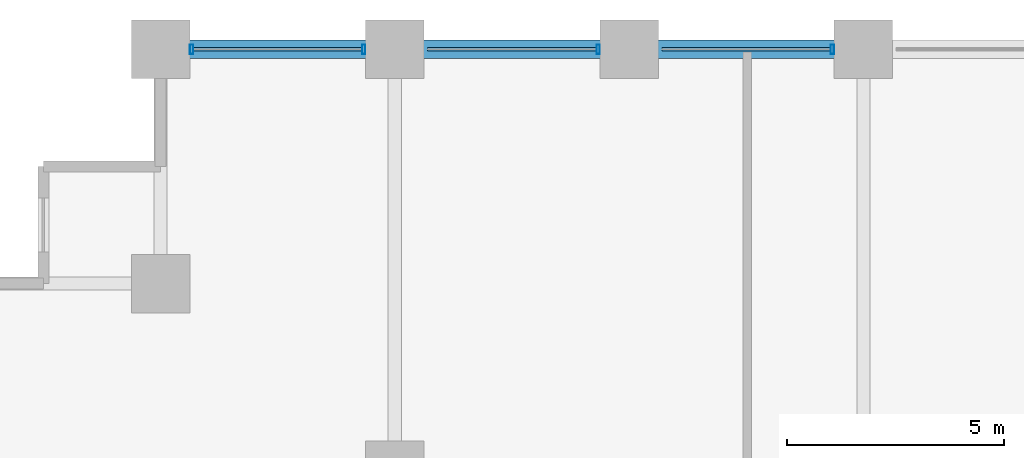
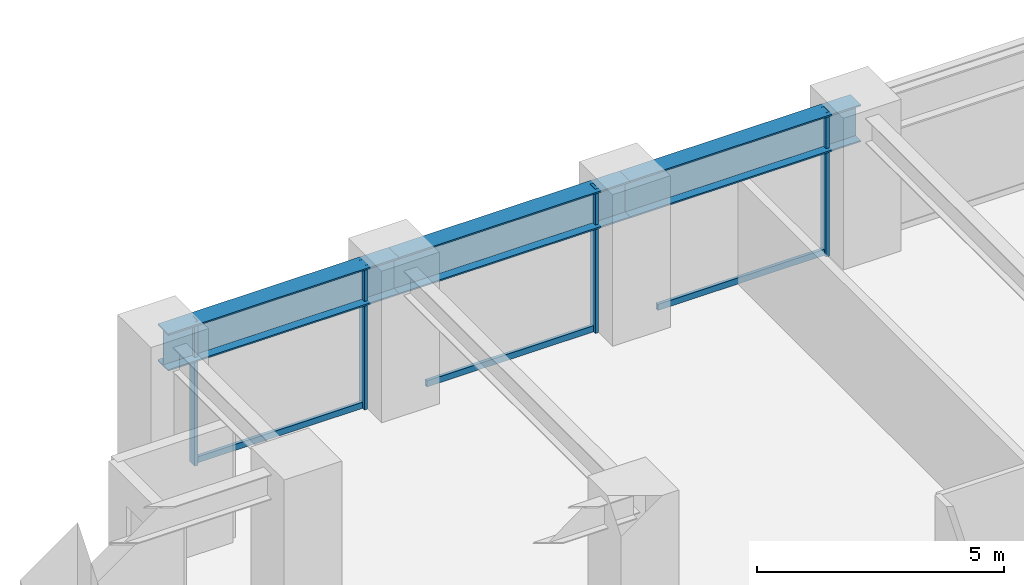
# One storey, part 12 of 25: 7 members, 3 beams, 1 element without a shape of its own.
"""IFC4 building model written with IfcOpenShell, lengths in metres."""

from ifc_helpers import new_model, si_unit, direction, frame, origin, origin_2d, place, context, subcontext, project, spatial, hollow_rectangle, i_section, extrude, material, layer, layer_set, material_profile, profile_set, type_object, element, aggregate, save


model = new_model("IFC4")

# Units and contexts
model_context = context("Model", 3, precision=1e-05, world=origin(), true_north=direction((0.0, 1.0)))
body_context = subcontext(model_context, "Body", "Model", "MODEL_VIEW")
ifc_project = project(units=[si_unit("LENGTHUNIT", "METRE"), si_unit("AREAUNIT", "SQUARE_METRE"), si_unit("VOLUMEUNIT", "CUBIC_METRE"), si_unit("PLANEANGLEUNIT", "RADIAN"), si_unit("MASSUNIT", "GRAM", prefix="KILO")], contexts=[model_context])

# Site, building, storey
site_placement = place(None, origin())
site = spatial("IfcSite", under=ifc_project, at=site_placement, CompositionType="ELEMENT")
building_placement = place(site_placement, origin())
building = spatial("IfcBuilding", under=site, at=building_placement, Name="Surkhivell Harbour Commons", CompositionType="ELEMENT")
storey_placement = place(building_placement, frame((0.0, 0.0, 37.5)))
storey = spatial("IfcBuildingStorey", under=building, at=storey_placement, Name="L09", CompositionType="ELEMENT", Elevation=37.5)

# Beams
ifc_material_1 = material(Name="Steel S460", Category="steel")
ifc_material_profile_1 = material_profile(ifc_material_1, i_section(OverallWidth=0.419921875, OverallDepth=0.9208984375, WebThickness=0.021484375, FlangeThickness=0.03662109375, at=origin_2d()), Name="UB914x419x388")
ifc_profile_set_1 = profile_set([ifc_material_profile_1], Name="Steel S460")
beam_type = type_object("IfcBeamType", Name="BM-SPN-914A", PredefinedType="SPANDREL", material=ifc_profile_set_1)
beam_1_placement = place(storey_placement, frame((-27.0, 25.89990234375, 3.109619140625), z_axis=(1.0, 0.0, 0.0), x_axis=(0.0, 1.0, 0.0)))
element("IfcBeam", 1, at=beam_1_placement, inside=storey, type_object=beam_type, Name="L09 Tube Spandrel (-27.0,25.9)", PredefinedType="SPANDREL", context=body_context, shape_type="SweptSolid", body=[
    extrude(i_section(OverallWidth=0.419921875, OverallDepth=0.9208984375, WebThickness=0.021484375, FlangeThickness=0.03662109375, at=origin_2d()), origin(), (0.0, 0.0, 1.0), 5.39990234375),
])
beam_2_placement = place(storey_placement, frame((-21.60009765625, 25.89990234375, 3.109619140625), z_axis=(1.0, 0.0, 0.0), x_axis=(0.0, 1.0, 0.0)))
element("IfcBeam", 2, at=beam_2_placement, inside=storey, type_object=beam_type, Name="L09 Tube Spandrel (-21.6,25.9)", PredefinedType="SPANDREL", context=body_context, shape_type="SweptSolid", body=[
    extrude(i_section(OverallWidth=0.419921875, OverallDepth=0.9208984375, WebThickness=0.021484375, FlangeThickness=0.03662109375, at=origin_2d()), origin(), (0.0, 0.0, 1.0), 5.400146484375),
])
beam_3_placement = place(storey_placement, frame((-16.199951171875, 25.89990234375, 3.109619140625), z_axis=(1.0, 0.0, 0.0), x_axis=(0.0, 1.0, 0.0)))
element("IfcBeam", 3, at=beam_3_placement, inside=storey, type_object=beam_type, Name="L09 Tube Spandrel (-16.2,25.9)", PredefinedType="SPANDREL", context=body_context, shape_type="SweptSolid", body=[
    extrude(i_section(OverallWidth=0.419921875, OverallDepth=0.9208984375, WebThickness=0.021484375, FlangeThickness=0.03662109375, at=origin_2d()), origin(), (0.0, 0.0, 1.0), 5.39990234375),
])

# Curtain wall, members
ifc_material_2 = material(Name="Anodised pale-metal aluminium and insulated glazing", Category="aluminium")
ifc_layer = layer(ifc_material_2, 0.219970703125)
ifc_layer_set = layer_set([ifc_layer], Name="Anodised pale-metal aluminium and insulated glazing")
curtain_wall_type = type_object("IfcCurtainWallType", Name="CW-SYS-Z1", PredefinedType="NOTDEFINED", material=ifc_layer_set)
curtain_wall_placement = place(storey_placement, origin())
curtain_wall = element("IfcCurtainWall", 4, at=curtain_wall_placement, inside=storey, type_object=curtain_wall_type, Name="L09 Curtain Wall CW-L09-E07S2", PredefinedType="NOTDEFINED")
ifc_material_3 = material(Name="Anodised pale-metal aluminium alloy 6063-T6", Category="aluminium")
ifc_material_profile_2 = material_profile(ifc_material_3, hollow_rectangle(XDim=0.074951171875, YDim=0.219970703125, WallThickness=0.00390625, at=origin_2d()), Name="ALU-MULL-75x220")
ifc_profile_set_2 = profile_set([ifc_material_profile_2], Name="Anodised pale-metal aluminium alloy 6063-T6")
member_type_1 = type_object("IfcMemberType", Name="CWM-220", PredefinedType="MULLION", material=ifc_profile_set_2)
member_1_placement = place(storey_placement, frame((-11.514404296875, 25.89990234375, 0.0), z_axis=(0.0, 0.0, 1.0), x_axis=(-1.0, 0.0, 0.0)))
member_1 = element("IfcMember", 5, at=member_1_placement, type_object=member_type_1, Name="CW-Z1 mullion 2", PredefinedType="MULLION", context=body_context, shape_type="SweptSolid", body=[
    extrude(hollow_rectangle(XDim=0.074951171875, YDim=0.219970703125, WallThickness=0.00390625, at=origin_2d()), origin(), (0.0, 0.0, 1.0), 3.570068359375),
])
member_2_placement = place(storey_placement, frame((-16.91455078125, 25.89990234375, 0.0), z_axis=(0.0, 0.0, 1.0), x_axis=(-1.0, 0.0, 0.0)))
member_2 = element("IfcMember", 6, at=member_2_placement, type_object=member_type_1, Name="CW-Z1 mullion 3", PredefinedType="MULLION", context=body_context, shape_type="SweptSolid", body=[
    extrude(hollow_rectangle(XDim=0.074951171875, YDim=0.219970703125, WallThickness=0.00390625, at=origin_2d()), origin(), (0.0, 0.0, 1.0), 3.570068359375),
])
member_3_placement = place(storey_placement, frame((-22.314453125, 25.89990234375, 0.0), z_axis=(0.0, 0.0, 1.0), x_axis=(-1.0, 0.0, 0.0)))
member_3 = element("IfcMember", 7, at=member_3_placement, type_object=member_type_1, Name="CW-Z1 mullion 4", PredefinedType="MULLION", context=body_context, shape_type="SweptSolid", body=[
    extrude(hollow_rectangle(XDim=0.074951171875, YDim=0.219970703125, WallThickness=0.00390625, at=origin_2d()), origin(), (0.0, 0.0, 1.0), 3.570068359375),
])
member_4_placement = place(storey_placement, frame((-26.285400390625, 25.89990234375, 0.0), z_axis=(0.0, 0.0, 1.0), x_axis=(-1.0, 0.0, 0.0)))
member_4 = element("IfcMember", 8, at=member_4_placement, type_object=member_type_1, Name="CW-Z1 mullion 5", PredefinedType="MULLION", context=body_context, shape_type="SweptSolid", body=[
    extrude(hollow_rectangle(XDim=0.074951171875, YDim=0.219970703125, WallThickness=0.00390625, at=origin_2d()), origin(), (0.0, 0.0, 1.0), 3.570068359375),
])
ifc_material_profile_3 = material_profile(ifc_material_3, hollow_rectangle(XDim=0.074951171875, YDim=0.14990234375, WallThickness=0.00341796875, at=origin_2d()), Name="ALU-TRAN-75x150")
ifc_profile_set_3 = profile_set([ifc_material_profile_3], Name="Anodised pale-metal aluminium alloy 6063-T6")
member_type_2 = type_object("IfcMemberType", Name="CWT-150", PredefinedType="USERDEFINED", material=ifc_profile_set_3)
member_5_placement = place(storey_placement, frame((-11.552001953125, 25.89990234375, 0.074951171875), z_axis=(-1.0, 0.0, 0.0), x_axis=(0.0, -1.0, 0.0)))
member_5 = element("IfcMember", 9, at=member_5_placement, type_object=member_type_2, Name="CW-Z1 transom 2.1", ObjectType="TRANSOM", PredefinedType="USERDEFINED", context=body_context, shape_type="SweptSolid", body=[
    extrude(hollow_rectangle(XDim=0.074951171875, YDim=0.14990234375, WallThickness=0.00341796875, at=origin_2d()), origin(), (0.0, 0.0, 1.0), 3.89599609375),
])
member_6_placement = place(storey_placement, frame((-16.951904296875, 25.89990234375, 0.074951171875), z_axis=(-1.0, 0.0, 0.0), x_axis=(0.0, -1.0, 0.0)))
member_6 = element("IfcMember", 10, at=member_6_placement, type_object=member_type_2, Name="CW-Z1 transom 3.1", ObjectType="TRANSOM", PredefinedType="USERDEFINED", context=body_context, shape_type="SweptSolid", body=[
    extrude(hollow_rectangle(XDim=0.074951171875, YDim=0.14990234375, WallThickness=0.00341796875, at=origin_2d()), origin(), (0.0, 0.0, 1.0), 3.89599609375),
])
member_7_placement = place(storey_placement, frame((-22.35205078125, 25.89990234375, 0.074951171875), z_axis=(-1.0, 0.0, 0.0), x_axis=(0.0, -1.0, 0.0)))
member_7 = element("IfcMember", 11, at=member_7_placement, type_object=member_type_2, Name="CW-Z1 transom 4.1", ObjectType="TRANSOM", PredefinedType="USERDEFINED", context=body_context, shape_type="SweptSolid", body=[
    extrude(hollow_rectangle(XDim=0.074951171875, YDim=0.14990234375, WallThickness=0.00341796875, at=origin_2d()), origin(), (0.0, 0.0, 1.0), 3.89599609375),
])
aggregate(curtain_wall, [member_1, member_5, member_2, member_6, member_3, member_4, member_7])

save(model, "model.ifc")
